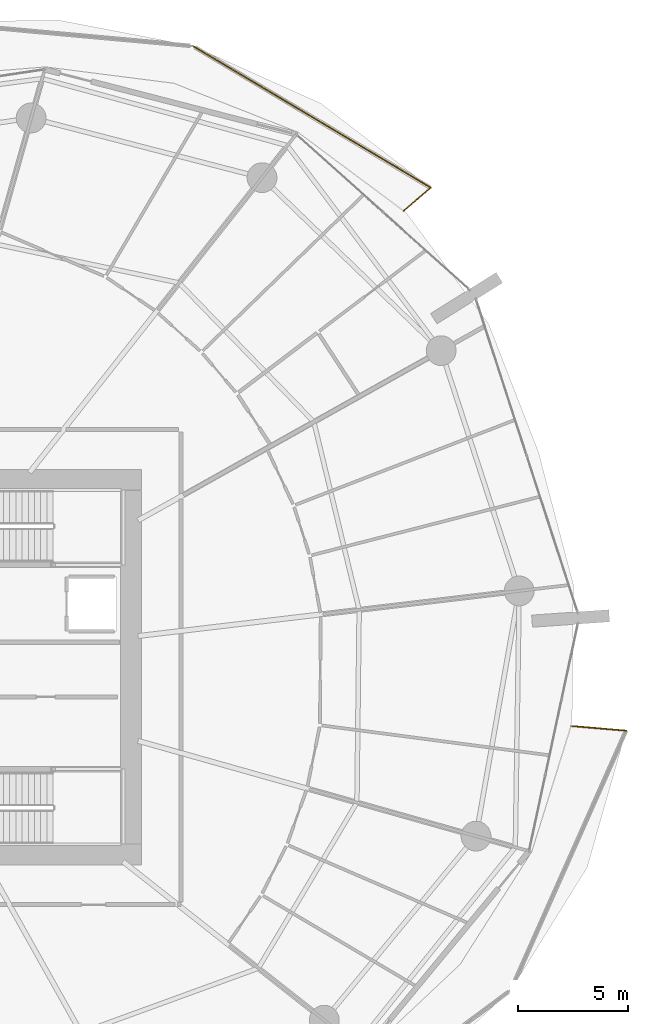
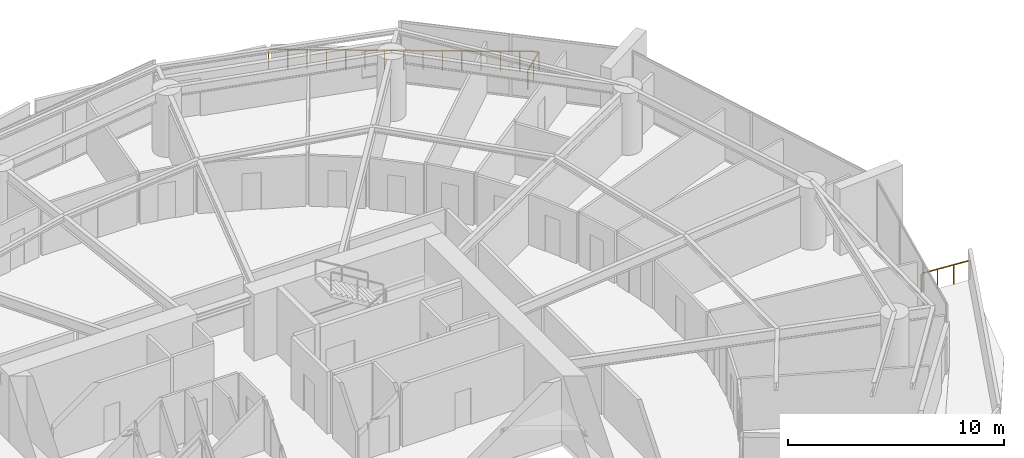
# One storey, part 31 of 31: 3 railings.
"""IFC4 building model written with IfcOpenShell, lengths in metres."""

from ifc_helpers import new_model, si_unit, direction, frame, origin, origin_2d, place, context, subcontext, project, spatial, rectangle, extrude, material, type_object, element, save


model = new_model("IFC4")

# Units and contexts
model_context = context("Model", 3, precision=1e-05, world=origin(), true_north=direction((0.0, 1.0)))
body_context = subcontext(model_context, "Body", "Model", "MODEL_VIEW")
ifc_project = project(units=[si_unit("LENGTHUNIT", "METRE"), si_unit("AREAUNIT", "SQUARE_METRE"), si_unit("VOLUMEUNIT", "CUBIC_METRE"), si_unit("PLANEANGLEUNIT", "RADIAN"), si_unit("MASSUNIT", "GRAM", prefix="KILO")], contexts=[model_context])

# Site, building, storey
site_placement = place(None, origin())
site = spatial("IfcSite", under=ifc_project, at=site_placement, CompositionType="ELEMENT")
building_placement = place(site_placement, origin())
building = spatial("IfcBuilding", under=site, at=building_placement, Name="Kazma Halo Residences", CompositionType="ELEMENT")
storey_placement = place(building_placement, frame((0.0, 0.0, 30.14990234375)))
storey = spatial("IfcBuildingStorey", under=building, at=storey_placement, Name="L06", CompositionType="ELEMENT", Elevation=30.14990234375)

# Railings
ifc_material = material(Name="Aluminium AW-6063 T6 Brushed Cap Rail", Category="aluminium")
railing_type = type_object("IfcRailingType", Name="RLG-BAL-CAP-1120", PredefinedType="BALUSTRADE", material=ifc_material)
railing_1_placement = place(storey_placement, frame((71.875732421875, 62.645263671875, 0.0)))
element("IfcRailing", 1, at=railing_1_placement, inside=storey, type_object=railing_type, Name="L06 NE wave balcony guard 1", PredefinedType="BALUSTRADE", context=body_context, shape_type="SweptSolid", body=[
    extrude(rectangle(XDim=0.050048828125, YDim=0.050048828125, at=origin_2d()), frame((0.0322265625, 0.02783203125, 1.09521484375), z_axis=(0.756387628106, 0.654123655013, 0.0), x_axis=(-0.654123655013, 0.756387628106, 0.0)), (0.0, 0.0, 1.0), 1.516845703125),
    extrude(rectangle(XDim=0.0400390625, YDim=0.0400390625, at=origin_2d()), origin(), (0.0, 0.0, 1.0), 1.05810546875),
    extrude(rectangle(XDim=0.0400390625, YDim=0.0400390625, at=origin_2d()), frame((0.60595703125, 0.52392578125, 0.0)), (0.0, 0.0, 1.0), 1.05810546875),
    extrude(rectangle(XDim=0.0400390625, YDim=0.0400390625, at=origin_2d()), frame((1.211669921875, 1.0478515625, 0.0)), (0.0, 0.0, 1.0), 1.05810546875),
])
railing_2_placement = place(storey_placement, frame((73.08740234375, 63.693115234375, 0.0)))
element("IfcRailing", 2, at=railing_2_placement, inside=storey, type_object=railing_type, Name="L06 NE wave balcony guard 2", PredefinedType="BALUSTRADE", context=body_context, shape_type="SweptSolid", body=[
    extrude(rectangle(XDim=0.050048828125, YDim=0.050048828125, at=origin_2d()), frame((-0.03662109375, 0.021728515625, 1.09521484375), z_axis=(-0.858858146073, 0.512213514975, 0.0), x_axis=(-0.512213514975, -0.858858146073, 0.0)), (0.0, 0.0, 1.0), 12.447265625),
    extrude(rectangle(XDim=0.0400390625, YDim=0.0400390625, at=origin_2d()), origin(), (0.0, 0.0, 1.0), 1.05810546875),
    extrude(rectangle(XDim=0.0400390625, YDim=0.0400390625, at=origin_2d()), frame((-0.768798828125, 0.45849609375, 0.0)), (0.0, 0.0, 1.0), 1.05810546875),
    extrude(rectangle(XDim=0.0400390625, YDim=0.0400390625, at=origin_2d()), frame((-1.53759765625, 0.9169921875, 0.0)), (0.0, 0.0, 1.0), 1.05810546875),
    extrude(rectangle(XDim=0.0400390625, YDim=0.0400390625, at=origin_2d()), frame((-2.306396484375, 1.37548828125, 0.0)), (0.0, 0.0, 1.0), 1.05810546875),
    extrude(rectangle(XDim=0.0400390625, YDim=0.0400390625, at=origin_2d()), frame((-3.0751953125, 1.833984375, 0.0)), (0.0, 0.0, 1.0), 1.05810546875),
    extrude(rectangle(XDim=0.0400390625, YDim=0.0400390625, at=origin_2d()), frame((-3.843994140625, 2.29248046875, 0.0)), (0.0, 0.0, 1.0), 1.05810546875),
    extrude(rectangle(XDim=0.0400390625, YDim=0.0400390625, at=origin_2d()), frame((-4.61279296875, 2.7509765625, 0.0)), (0.0, 0.0, 1.0), 1.05810546875),
    extrude(rectangle(XDim=0.0400390625, YDim=0.0400390625, at=origin_2d()), frame((-5.3818359375, 3.20947265625, 0.0)), (0.0, 0.0, 1.0), 1.05810546875),
    extrude(rectangle(XDim=0.0400390625, YDim=0.0400390625, at=origin_2d()), frame((-6.150634765625, 3.668212890625, 0.0)), (0.0, 0.0, 1.0), 1.05810546875),
    extrude(rectangle(XDim=0.0400390625, YDim=0.0400390625, at=origin_2d()), frame((-6.91943359375, 4.126708984375, 0.0)), (0.0, 0.0, 1.0), 1.05810546875),
    extrude(rectangle(XDim=0.0400390625, YDim=0.0400390625, at=origin_2d()), frame((-7.688232421875, 4.585205078125, 0.0)), (0.0, 0.0, 1.0), 1.05810546875),
    extrude(rectangle(XDim=0.0400390625, YDim=0.0400390625, at=origin_2d()), frame((-8.45703125, 5.043701171875, 0.0)), (0.0, 0.0, 1.0), 1.05810546875),
    extrude(rectangle(XDim=0.0400390625, YDim=0.0400390625, at=origin_2d()), frame((-9.225830078125, 5.502197265625, 0.0)), (0.0, 0.0, 1.0), 1.05810546875),
    extrude(rectangle(XDim=0.0400390625, YDim=0.0400390625, at=origin_2d()), frame((-9.99462890625, 5.960693359375, 0.0)), (0.0, 0.0, 1.0), 1.05810546875),
    extrude(rectangle(XDim=0.0400390625, YDim=0.0400390625, at=origin_2d()), frame((-10.763427734375, 6.419189453125, 0.0)), (0.0, 0.0, 1.0), 1.05810546875),
])
railing_3_placement = place(storey_placement, frame((81.93798828125, 39.120361328125, 0.0)))
element("IfcRailing", 3, at=railing_3_placement, inside=storey, type_object=railing_type, Name="L06 SE wave balcony guard 4", PredefinedType="BALUSTRADE", context=body_context, shape_type="SweptSolid", body=[
    extrude(rectangle(XDim=0.050048828125, YDim=0.050048828125, at=origin_2d()), frame((-0.04248046875, 0.003662109375, 1.09521484375), z_axis=(-0.996423281843, 0.084502327789, 0.0), x_axis=(-0.084502327789, -0.996423281843, 0.0)), (0.0, 0.0, 1.0), 2.4111328125),
    extrude(rectangle(XDim=0.0400390625, YDim=0.0400390625, at=origin_2d()), origin(), (0.0, 0.0, 1.0), 1.05810546875),
    extrude(rectangle(XDim=0.0400390625, YDim=0.0400390625, at=origin_2d()), frame((-0.8291015625, 0.0703125, 0.0)), (0.0, 0.0, 1.0), 1.05810546875),
    extrude(rectangle(XDim=0.0400390625, YDim=0.0400390625, at=origin_2d()), frame((-1.658203125, 0.140625, 0.0)), (0.0, 0.0, 1.0), 1.05810546875),
    extrude(rectangle(XDim=0.0400390625, YDim=0.0400390625, at=origin_2d()), frame((-2.4873046875, 0.2109375, 0.0)), (0.0, 0.0, 1.0), 1.05810546875),
])

save(model, "model.ifc")
